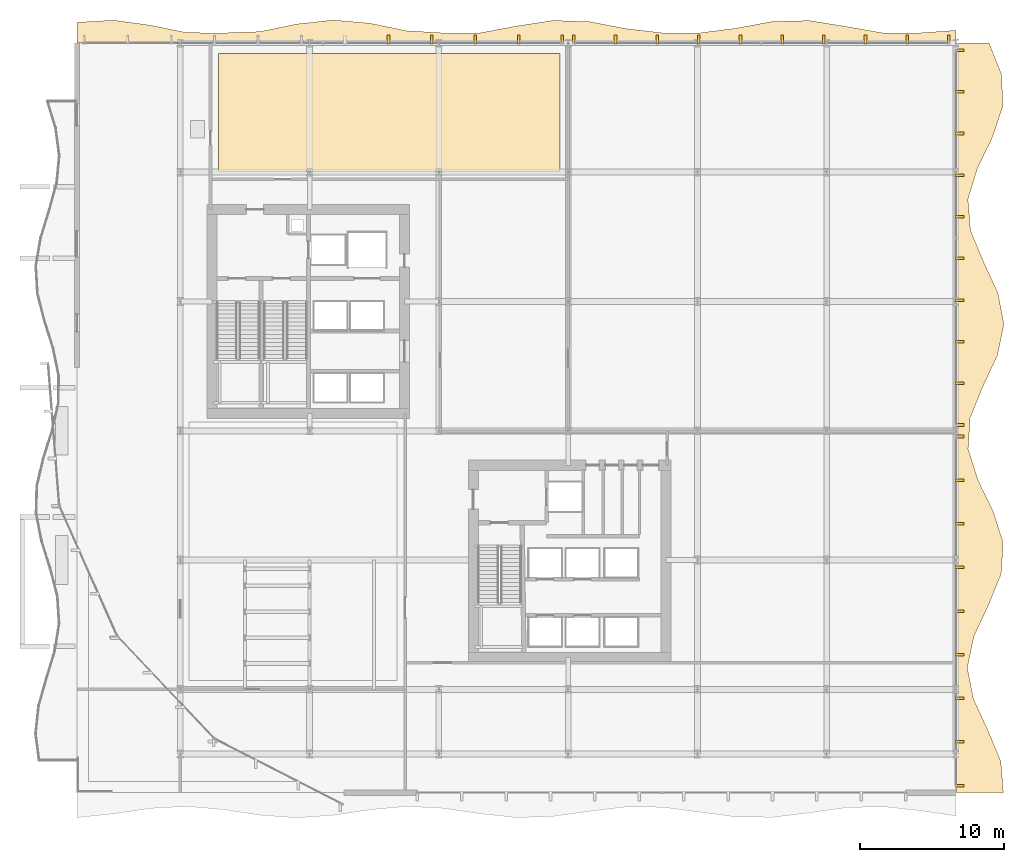
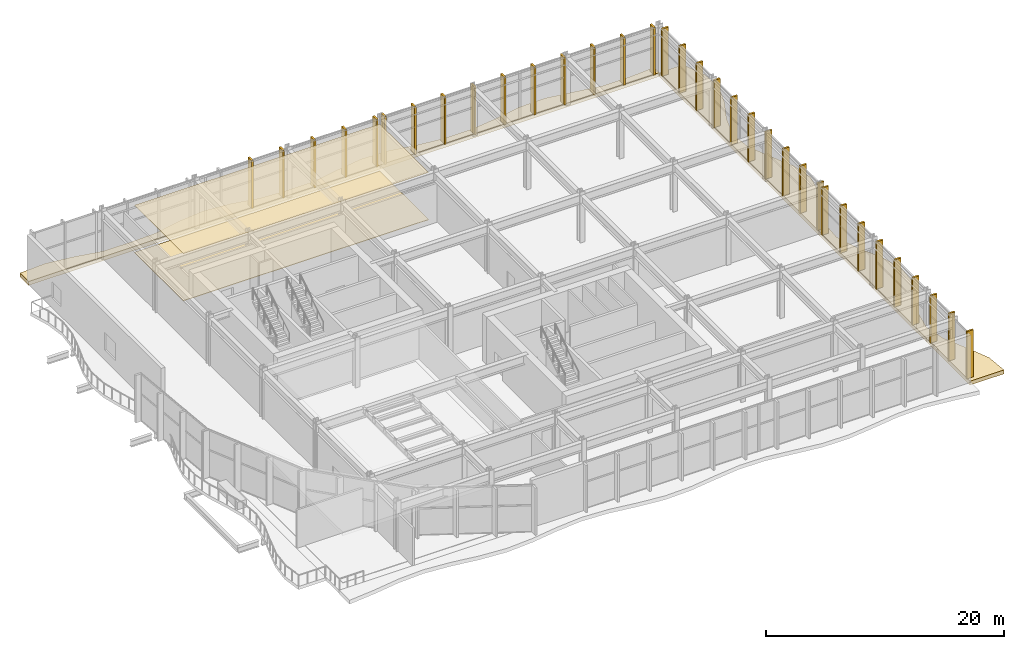
# One storey, part 32 of 33: 38 coverings.
"""IFC4 building model written with IfcOpenShell, lengths in metres."""

from ifc_helpers import new_model, si_unit, direction, frame, origin, origin_2d, place, context, subcontext, project, spatial, polyline, rectangle, outline, extrude, material, layer, layer_set, type_object, element, save


model = new_model("IFC4")

# Units and contexts
model_context = context("Model", 3, precision=1e-05, world=origin(), true_north=direction((0.0, 1.0)))
body_context = subcontext(model_context, "Body", "Model", "MODEL_VIEW")
ifc_project = project(units=[si_unit("LENGTHUNIT", "METRE"), si_unit("AREAUNIT", "SQUARE_METRE"), si_unit("VOLUMEUNIT", "CUBIC_METRE"), si_unit("PLANEANGLEUNIT", "RADIAN"), si_unit("MASSUNIT", "GRAM", prefix="KILO")], contexts=[model_context])

# Site, building, storey
site_placement = place(None, origin())
site = spatial("IfcSite", under=ifc_project, at=site_placement, CompositionType="ELEMENT")
building_placement = place(site_placement, origin())
building = spatial("IfcBuilding", under=site, at=building_placement, Name="Solvaryn Broadcast Tower", CompositionType="ELEMENT")
storey_placement = place(building_placement, frame((0.0, 0.0, 5.800048828125)))
storey = spatial("IfcBuildingStorey", under=building, at=storey_placement, Name="L01", CompositionType="ELEMENT", Elevation=5.800048828125)

# Coverings
ifc_material_1 = material(Name="Studio Acoustic Mineral-Wool Baffle Ceiling", Category="concrete")
ifc_layer_1 = layer(ifc_material_1, 0.06005859375)
ifc_layer_set_1 = layer_set([ifc_layer_1], Name="CV-CEIL-BAFFLE")
covering_type_1 = type_object("IfcCoveringType", Name="CV-CEIL-BAFFLE", PredefinedType="CEILING", material=ifc_layer_set_1)
covering_1_placement = place(storey_placement, frame((0.0, 0.0, 4.83984375)))
element("IfcCovering", 1, at=covering_1_placement, inside=storey, type_object=covering_type_1, Name="L01 Room Acoustic Ceiling 2", PredefinedType="CEILING", context=body_context, shape_type="SweptSolid", body=[
    extrude(outline(polyline([(11.64990234375, 45.050048828125), (35.449951171875, 45.050048828125), (35.449951171875, 53.25), (11.64990234375, 53.25), (11.64990234375, 45.050048828125)])), origin(), (0.0, 0.0, 1.0), 0.0400390625),
])
ifc_material_2 = material(Name="Isolated Broadcast Studio Floating Acoustic Floor", Category="concrete")
ifc_layer_2 = layer(ifc_material_2, 0.080078125)
ifc_layer_set_2 = layer_set([ifc_layer_2], Name="CV-FLOOR-STUDIO")
covering_type_2 = type_object("IfcCoveringType", Name="CV-FLOOR-STUDIO", PredefinedType="FLOORING", material=ifc_layer_set_2)
covering_2_placement = place(storey_placement, origin())
element("IfcCovering", 2, at=covering_2_placement, inside=storey, type_object=covering_type_2, Name="L01 Room Acoustic Floor Finish 2", PredefinedType="FLOORING", context=body_context, shape_type="SweptSolid", body=[
    extrude(outline(polyline([(11.64990234375, 45.050048828125), (35.449951171875, 45.050048828125), (35.449951171875, 53.25), (11.64990234375, 53.25), (11.64990234375, 45.050048828125)])), origin(), (0.0, 0.0, 1.0), 0.050048828125),
])
ifc_material_3 = material(Name="Extruded Architectural Terracotta Fin", Category="masonry")
ifc_layer_3 = layer(ifc_material_3, 0.179931640625)
ifc_layer_set_3 = layer_set([ifc_layer_3], Name="CV-TC-FIN")
covering_type_3 = type_object("IfcCoveringType", Name="CV-TC-FIN", PredefinedType="USERDEFINED", material=ifc_layer_set_3)
for number, where, z_axis, x_axis, name in (
    (3, (23.490966796875, 54.25, 0.0), (0.0, 0.0, 1.0), (1.0, 0.0, 0.0), "L01 Terracotta Vertical Fin FIN-POD-L01-N1-07"),
    (4, (26.518310546875, 54.25, 0.0), (0.0, 0.0, 1.0), (1.0, 0.0, 0.0), "L01 Terracotta Vertical Fin FIN-POD-L01-N1-08"),
    (5, (29.54541015625, 54.25, 0.0), (0.0, 0.0, 1.0), (1.0, 0.0, 0.0), "L01 Terracotta Vertical Fin FIN-POD-L01-N1-09"),
    (6, (32.57275390625, 54.25, 0.0), (0.0, 0.0, 1.0), (1.0, 0.0, 0.0), "L01 Terracotta Vertical Fin FIN-POD-L01-N1-10"),
    (7, (35.60009765625, 54.25, 0.0), (0.0, 0.0, 1.0), (1.0, 0.0, 0.0), "L01 Terracotta Vertical Fin FIN-POD-L01-N1-11"),
    (8, (36.39990234375, 54.25, 0.0), (0.0, 0.0, 1.0), (1.0, 0.0, 0.0), "L01 Terracotta Vertical Fin FIN-POD-L01-N2-00"),
    (9, (39.300048828125, 54.25, 0.0), (0.0, 0.0, 1.0), (1.0, 0.0, 0.0), "L01 Terracotta Vertical Fin FIN-POD-L01-N2-01"),
    (10, (42.199951171875, 54.25, 0.0), (0.0, 0.0, 1.0), (1.0, 0.0, 0.0), "L01 Terracotta Vertical Fin FIN-POD-L01-N2-02"),
    (11, (45.10009765625, 54.25, 0.0), (0.0, 0.0, 1.0), (1.0, 0.0, 0.0), "L01 Terracotta Vertical Fin FIN-POD-L01-N2-03"),
    (12, (48.0, 54.25, 0.0), (0.0, 0.0, 1.0), (1.0, 0.0, 0.0), "L01 Terracotta Vertical Fin FIN-POD-L01-N2-04"),
    (13, (50.89990234375, 54.25, 0.0), (0.0, 0.0, 1.0), (1.0, 0.0, 0.0), "L01 Terracotta Vertical Fin FIN-POD-L01-N2-05"),
    (14, (53.800048828125, 54.25, 0.0), (0.0, 0.0, 1.0), (1.0, 0.0, 0.0), "L01 Terracotta Vertical Fin FIN-POD-L01-N2-06"),
    (15, (56.699951171875, 54.25, 0.0), (0.0, 0.0, 1.0), (1.0, 0.0, 0.0), "L01 Terracotta Vertical Fin FIN-POD-L01-N2-07"),
    (16, (59.60009765625, 54.25, 0.0), (0.0, 0.0, 1.0), (1.0, 0.0, 0.0), "L01 Terracotta Vertical Fin FIN-POD-L01-N2-08"),
    (17, (62.5, 54.25, 0.0), (0.0, 0.0, 1.0), (1.0, 0.0, 0.0), "L01 Terracotta Vertical Fin FIN-POD-L01-N2-09"),
):
    element("IfcCovering", number, at=place(storey_placement, frame(where, z_axis=z_axis, x_axis=x_axis)), inside=storey, type_object=covering_type_3, Name=name, ObjectType="FIN", PredefinedType="USERDEFINED", context=body_context, shape_type="SweptSolid", body=[
        extrude(rectangle(XDim=0.179931640625, YDim=0.6201171875, at=origin_2d()), origin(), (0.0, 0.0, 1.0), 4.8798828125),
    ])
for number, where, z_axis, x_axis, name in (
    (18, (63.25, 53.5, 0.0), (0.0, 0.0, 1.0), (1.0, 0.0, 0.0), "L01 Terracotta Vertical Fin FIN-POD-L01-E1-00"),
    (19, (63.25, 50.60009765625, 0.0), (0.0, 0.0, 1.0), (1.0, 0.0, 0.0), "L01 Terracotta Vertical Fin FIN-POD-L01-E1-01"),
    (20, (63.25, 47.699951171875, 0.0), (0.0, 0.0, 1.0), (1.0, 0.0, 0.0), "L01 Terracotta Vertical Fin FIN-POD-L01-E1-02"),
    (21, (63.25, 44.800048828125, 0.0), (0.0, 0.0, 1.0), (1.0, 0.0, 0.0), "L01 Terracotta Vertical Fin FIN-POD-L01-E1-03"),
    (22, (63.25, 41.89990234375, 0.0), (0.0, 0.0, 1.0), (1.0, 0.0, 0.0), "L01 Terracotta Vertical Fin FIN-POD-L01-E1-04"),
    (23, (63.25, 39.0, 0.0), (0.0, 0.0, 1.0), (1.0, 0.0, 0.0), "L01 Terracotta Vertical Fin FIN-POD-L01-E1-05"),
    (24, (63.25, 36.10009765625, 0.0), (0.0, 0.0, 1.0), (1.0, 0.0, 0.0), "L01 Terracotta Vertical Fin FIN-POD-L01-E1-06"),
    (25, (63.25, 33.199951171875, 0.0), (0.0, 0.0, 1.0), (1.0, 0.0, 0.0), "L01 Terracotta Vertical Fin FIN-POD-L01-E1-07"),
    (26, (63.25, 30.300048828125, 0.0), (0.0, 0.0, 1.0), (1.0, 0.0, 0.0), "L01 Terracotta Vertical Fin FIN-POD-L01-E1-08"),
    (27, (63.25, 27.39990234375, 0.0), (0.0, 0.0, 1.0), (1.0, 0.0, 0.0), "L01 Terracotta Vertical Fin FIN-POD-L01-E1-09"),
    (28, (63.25, 26.60009765625, 0.0), (0.0, 0.0, 1.0), (1.0, 0.0, 0.0), "L01 Terracotta Vertical Fin FIN-POD-L01-E2-00"),
    (29, (63.25, 23.5625, 0.0), (0.0, 0.0, 1.0), (1.0, 0.0, 0.0), "L01 Terracotta Vertical Fin FIN-POD-L01-E2-01"),
    (30, (63.25, 20.52490234375, 0.0), (0.0, 0.0, 1.0), (1.0, 0.0, 0.0), "L01 Terracotta Vertical Fin FIN-POD-L01-E2-02"),
    (31, (63.25, 17.487548828125, 0.0), (0.0, 0.0, 1.0), (1.0, 0.0, 0.0), "L01 Terracotta Vertical Fin FIN-POD-L01-E2-03"),
    (32, (63.25, 14.449951171875, 0.0), (0.0, 0.0, 1.0), (1.0, 0.0, 0.0), "L01 Terracotta Vertical Fin FIN-POD-L01-E2-04"),
    (33, (63.25, 11.41259765625, 0.0), (0.0, 0.0, 1.0), (1.0, 0.0, 0.0), "L01 Terracotta Vertical Fin FIN-POD-L01-E2-05"),
    (34, (63.25, 8.375, 0.0), (0.0, 0.0, 1.0), (1.0, 0.0, 0.0), "L01 Terracotta Vertical Fin FIN-POD-L01-E2-06"),
    (35, (63.25, 5.33740234375, 0.0), (0.0, 0.0, 1.0), (1.0, 0.0, 0.0), "L01 Terracotta Vertical Fin FIN-POD-L01-E2-07"),
    (36, (63.25, 2.300048828125, 0.0), (0.0, 0.0, 1.0), (1.0, 0.0, 0.0), "L01 Terracotta Vertical Fin FIN-POD-L01-E2-08"),
):
    element("IfcCovering", number, at=place(storey_placement, frame(where, z_axis=z_axis, x_axis=x_axis)), inside=storey, type_object=covering_type_3, Name=name, ObjectType="FIN", PredefinedType="USERDEFINED", context=body_context, shape_type="SweptSolid", body=[
        extrude(rectangle(XDim=0.6201171875, YDim=0.179931640625, at=origin_2d()), origin(), (0.0, 0.0, 1.0), 4.8798828125),
    ])
ifc_material_4 = material(Name="Sculpted Architectural Terracotta Wave Fascia", Category="masonry")
ifc_layer_4 = layer(ifc_material_4, 0.340087890625)
ifc_layer_set_4 = layer_set([ifc_layer_4], Name="CV-WAVE-TRAY")
covering_type_4 = type_object("IfcCoveringType", Name="CV-WAVE-TRAY", PredefinedType="CLADDING", material=ifc_layer_set_4)
covering_3_placement = place(storey_placement, frame((0.0, 0.0, -0.360107421875)))
element("IfcCovering", 37, at=covering_3_placement, inside=storey, type_object=covering_type_4, Name="L01 Spreading Wave Tray Apron N", PredefinedType="CLADDING", context=body_context, shape_type="SweptSolid", body=[
    extrude(outline(polyline([(1.800048828125, 54.0), (4.35009765625, 54.0), (6.89990234375, 54.0), (9.449951171875, 54.0), (12.0, 54.0), (14.550048828125, 54.0), (17.10009765625, 54.0), (19.64990234375, 54.0), (22.199951171875, 54.0), (24.75, 54.0), (27.300048828125, 54.0), (29.85009765625, 54.0), (32.39990234375, 54.0), (34.949951171875, 54.0), (37.5, 54.0), (40.050048828125, 54.0), (42.60009765625, 54.0), (45.14990234375, 54.0), (47.699951171875, 54.0), (50.25, 54.0), (52.800048828125, 54.0), (55.35009765625, 54.0), (57.89990234375, 54.0), (60.449951171875, 54.0), (63.0, 54.0), (63.0, 54.8798828125), (60.449951171875, 54.699951171875), (57.89990234375, 54.699951171875), (55.35009765625, 55.14697265625), (52.800048828125, 55.55810546875), (50.25, 55.5009765625), (47.699951171875, 55.028076171875), (45.14990234375, 54.699951171875), (42.60009765625, 54.699951171875), (40.050048828125, 54.99609375), (37.5, 55.48193359375), (34.949951171875, 55.570068359375), (32.39990234375, 55.177978515625), (29.85009765625, 54.699951171875), (27.300048828125, 54.699951171875), (24.75, 54.85009765625), (22.199951171875, 55.373046875), (19.64990234375, 55.59912109375), (17.10009765625, 55.319091796875), (14.550048828125, 54.791015625), (12.0, 54.699951171875), (9.449951171875, 54.718017578125), (6.89990234375, 55.239990234375), (4.35009765625, 55.5869140625), (1.800048828125, 55.43896484375), (1.800048828125, 54.0)])), origin(), (0.0, 0.0, 1.0), 0.400146484375),
])
covering_4_placement = place(storey_placement, frame((0.0, 0.0, -0.360107421875)))
element("IfcCovering", 38, at=covering_4_placement, inside=storey, type_object=covering_type_4, Name="L01 Spreading Wave Tray Apron E", PredefinedType="CLADDING", context=body_context, shape_type="SweptSolid", body=[
    extrude(outline(polyline([(66.302001953125, 1.800048828125), (66.1279296875, 3.97509765625), (65.22802734375, 6.14990234375), (64.219970703125, 8.324951171875), (63.794921875, 10.5), (64.2451171875, 12.675048828125), (65.260986328125, 14.85009765625), (66.14599609375, 17.02490234375), (66.2919921875, 19.199951171875), (65.60009765625, 21.375), (64.5439453125, 23.550048828125), (63.84912109375, 25.72509765625), (63.991943359375, 27.89990234375), (64.875, 30.074951171875), (65.89208984375, 32.25), (66.344970703125, 34.425048828125), (65.923095703125, 36.60009765625), (64.916015625, 38.77490234375), (64.014892578125, 40.949951171875), (63.8369140625, 43.125), (64.506103515625, 45.300048828125), (65.56201171875, 47.47509765625), (66.280029296875, 49.64990234375), (66.16796875, 51.824951171875), (65.302001953125, 54.0), (63.0, 54.0), (63.0, 51.824951171875), (63.0, 49.64990234375), (63.0, 47.47509765625), (63.0, 45.300048828125), (63.0, 43.125), (63.0, 40.949951171875), (63.0, 38.77490234375), (63.0, 36.60009765625), (63.0, 34.425048828125), (63.0, 32.25), (63.0, 30.074951171875), (63.0, 27.89990234375), (63.0, 25.72509765625), (63.0, 23.550048828125), (63.0, 21.375), (63.0, 19.199951171875), (63.0, 17.02490234375), (63.0, 14.85009765625), (63.0, 12.675048828125), (63.0, 10.5), (63.0, 8.324951171875), (63.0, 6.14990234375), (63.0, 3.97509765625), (63.0, 1.800048828125), (66.302001953125, 1.800048828125)])), origin(), (0.0, 0.0, 1.0), 0.400146484375),
])

save(model, "model.ifc")
